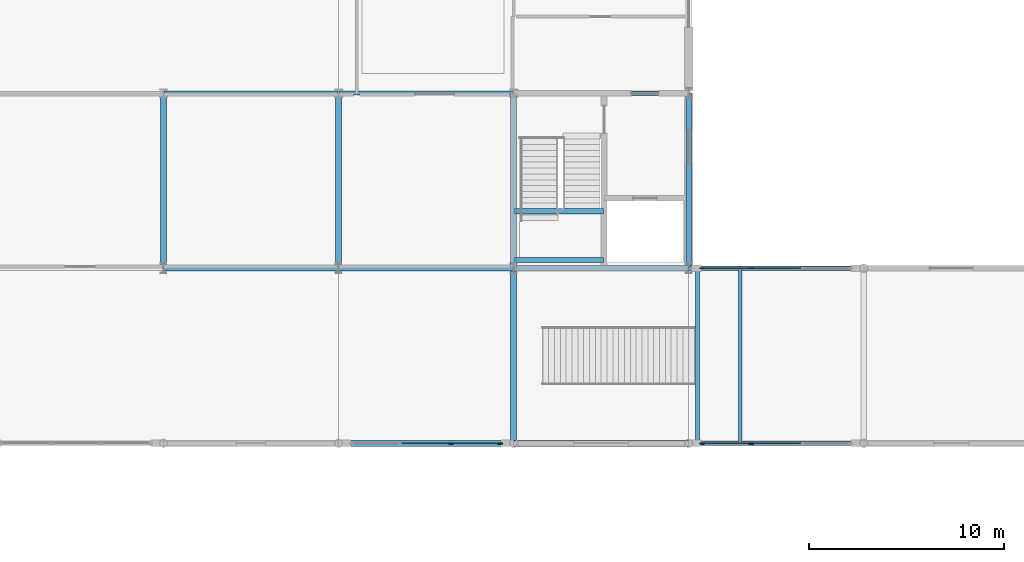
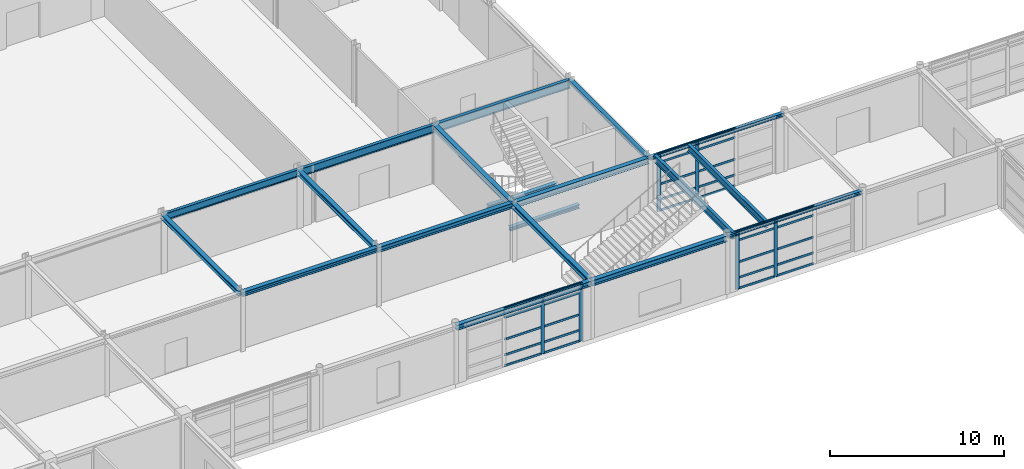
# One storey, part 31 of 72: 36 members, 19 beams, 3 elements without a shape of their own.
"""IFC4 building model written with IfcOpenShell, lengths in metres."""

from ifc_helpers import new_model, si_unit, direction, frame, origin, origin_2d, place, context, subcontext, project, spatial, rectangle, i_section, extrude, material, material_profile, profile_set, type_object, element, aggregate, save


model = new_model("IFC4")

# Units and contexts
model_context = context("Model", 3, precision=1e-05, world=origin(), true_north=direction((0.0, 1.0)))
body_context = subcontext(model_context, "Body", "Model", "MODEL_VIEW")
ifc_project = project(units=[si_unit("LENGTHUNIT", "METRE"), si_unit("AREAUNIT", "SQUARE_METRE"), si_unit("VOLUMEUNIT", "CUBIC_METRE"), si_unit("PLANEANGLEUNIT", "RADIAN"), si_unit("MASSUNIT", "GRAM", prefix="KILO")], contexts=[model_context])

# Site, building, storey
site_placement = place(None, origin())
site = spatial("IfcSite", under=ifc_project, at=site_placement, CompositionType="ELEMENT")
building_placement = place(site_placement, origin())
building = spatial("IfcBuilding", under=site, at=building_placement, Name="Palais des Congres Ocreval", CompositionType="ELEMENT")
storey_placement = place(building_placement, origin())
storey = spatial("IfcBuildingStorey", under=building, at=storey_placement, Name="L00", CompositionType="ELEMENT", Elevation=0.0)

# Beams
ifc_material_1 = material(Name="Steel S355", Category="steel")
ifc_material_profile_1 = material_profile(ifc_material_1, i_section(OverallWidth=0.199951171875, OverallDepth=0.5, WebThickness=0.01025390625, FlangeThickness=0.01611328125, at=origin_2d()), Name="IPE 500")
ifc_profile_set_1 = profile_set([ifc_material_profile_1], Name="Steel S355")
beam_type_1 = type_object("IfcBeamType", Name="Composite Beam IPE 500 Steel S355", PredefinedType="BEAM", material=ifc_profile_set_1)
for number, where, z_axis, x_axis, name in (
    (1, (27.02001953125, 90.0, 3.804931640625), (1.0, 0.0, 0.0), (0.0, 1.0, 0.0), "Beam B04 L00"),
    (2, (54.449951171875, 72.02001953125, 3.804931640625), (0.0, 1.0, 0.0), (-1.0, 0.0, 0.0), "Feature Stair Landing Girder ST11-1"),
    (3, (56.64990234375, 72.02001953125, 3.804931640625), (0.0, 1.0, 0.0), (-1.0, 0.0, 0.0), "Feature Stair Landing Girder ST11-2"),
):
    element("IfcBeam", number, at=place(storey_placement, frame(where, z_axis=z_axis, x_axis=x_axis)), inside=storey, type_object=beam_type_1, Name=name, PredefinedType="BEAM", context=body_context, shape_type="SweptSolid", body=[
        extrude(i_section(OverallWidth=0.199951171875, OverallDepth=0.5, WebThickness=0.01025390625, FlangeThickness=0.01611328125, at=origin_2d()), origin(), (0.0, 0.0, 1.0), 8.9599609375),
    ])
ifc_material_profile_2 = material_profile(ifc_material_1, i_section(OverallWidth=0.2099609375, OverallDepth=0.550048828125, WebThickness=0.010986328125, FlangeThickness=0.01708984375, at=origin_2d()), Name="IPE 550")
ifc_profile_set_2 = profile_set([ifc_material_profile_2], Name="Steel S355")
beam_type_2 = type_object("IfcBeamType", Name="Composite Beam IPE 550 Steel S355", PredefinedType="BEAM", material=ifc_profile_set_2)
beam_1_placement = place(storey_placement, frame((36.02001953125, 90.0, 3.780029296875), z_axis=(1.0, 0.0, 0.0), x_axis=(0.0, 1.0, 0.0)))
element("IfcBeam", 4, at=beam_1_placement, inside=storey, type_object=beam_type_2, Name="Beam B05 L00", PredefinedType="BEAM", context=body_context, shape_type="SweptSolid", body=[
    extrude(i_section(OverallWidth=0.2099609375, OverallDepth=0.550048828125, WebThickness=0.010986328125, FlangeThickness=0.01708984375, at=origin_2d()), origin(), (0.0, 0.0, 1.0), 8.9599609375),
])
ifc_material_profile_3 = material_profile(ifc_material_1, i_section(OverallWidth=0.219970703125, OverallDepth=0.60009765625, WebThickness=0.011962890625, FlangeThickness=0.01904296875, at=origin_2d()), Name="IPE 600")
ifc_profile_set_3 = profile_set([ifc_material_profile_3], Name="Steel S355")
beam_type_3 = type_object("IfcBeamType", Name="Composite Beam IPE 600 Steel S355", PredefinedType="BEAM", material=ifc_profile_set_3)
beam_2_placement = place(storey_placement, frame((45.02001953125, 90.0, 3.7548828125), z_axis=(1.0, 0.0, 0.0), x_axis=(0.0, 1.0, 0.0)))
element("IfcBeam", 5, at=beam_2_placement, inside=storey, type_object=beam_type_3, Name="Beam B06 L00", PredefinedType="BEAM", context=body_context, shape_type="SweptSolid", body=[
    extrude(i_section(OverallWidth=0.219970703125, OverallDepth=0.60009765625, WebThickness=0.011962890625, FlangeThickness=0.01904296875, at=origin_2d()), origin(), (0.0, 0.0, 1.0), 8.9599609375),
])

# Curtain wall, members
ifc_material_2 = material(Name="Anodized bronze aluminium and low-E glass", Category="glass")
curtain_wall_type = type_object("IfcCurtainWallType", Name="Unitised Curtain Wall 7900x4060", PredefinedType="USERDEFINED", material=ifc_material_2)
curtain_wall_1_placement = place(storey_placement, origin())
curtain_wall_1 = element("IfcCurtainWall", 6, at=curtain_wall_1_placement, inside=storey, type_object=curtain_wall_type, Name="Unitised Curtain Wall CW01 L00", ObjectType="UNITISED CURTAIN WALL", PredefinedType="USERDEFINED")
ifc_material_3 = material(Name="Anodized bronze aluminium", Category="aluminium")
ifc_material_profile_4 = material_profile(ifc_material_3, rectangle(XDim=0.074951171875, YDim=0.239990234375, at=origin_2d()), Name="ALU 75x240")
ifc_profile_set_4 = profile_set([ifc_material_profile_4], Name="Anodized bronze aluminium")
member_type_1 = type_object("IfcMemberType", Name="Curtain Wall Mullion ALU 75x240", PredefinedType="MULLION", material=ifc_profile_set_4)
member_1_placement = place(storey_placement, frame((54.6875, 81.0, 0.0), z_axis=(0.0, 0.0, 1.0), x_axis=(0.0, 1.0, 0.0)))
member_1 = element("IfcMember", 7, at=member_1_placement, type_object=member_type_1, Name="Curtain Wall Mullion ML01", PredefinedType="MULLION", context=body_context, shape_type="SweptSolid", body=[
    extrude(rectangle(XDim=0.074951171875, YDim=0.239990234375, at=origin_2d()), origin(), (0.0, 0.0, 1.0), 4.054931640625),
])
member_2_placement = place(storey_placement, frame((57.216796875, 81.0, 0.0), z_axis=(0.0, 0.0, 1.0), x_axis=(0.0, 1.0, 0.0)))
member_2 = element("IfcMember", 8, at=member_2_placement, type_object=member_type_1, Name="Curtain Wall Mullion ML01", PredefinedType="MULLION", context=body_context, shape_type="SweptSolid", body=[
    extrude(rectangle(XDim=0.074951171875, YDim=0.239990234375, at=origin_2d()), origin(), (0.0, 0.0, 1.0), 4.054931640625),
])

curtain_wall_2_placement = place(storey_placement, origin())
curtain_wall_2 = element("IfcCurtainWall", 9, at=curtain_wall_2_placement, inside=storey, type_object=curtain_wall_type, Name="Unitised Curtain Wall CW01 L00", ObjectType="UNITISED CURTAIN WALL", PredefinedType="USERDEFINED")
member_3_placement = place(storey_placement, frame((57.216796875, 72.0, 0.0), z_axis=(0.0, 0.0, 1.0), x_axis=(0.0, -1.0, 0.0)))
member_3 = element("IfcMember", 10, at=member_3_placement, type_object=member_type_1, Name="Curtain Wall Mullion ML01", PredefinedType="MULLION", context=body_context, shape_type="SweptSolid", body=[
    extrude(rectangle(XDim=0.074951171875, YDim=0.239990234375, at=origin_2d()), origin(), (0.0, 0.0, 1.0), 4.054931640625),
])
member_4_placement = place(storey_placement, frame((54.6875, 72.0, 0.0), z_axis=(0.0, 0.0, 1.0), x_axis=(0.0, -1.0, 0.0)))
member_4 = element("IfcMember", 11, at=member_4_placement, type_object=member_type_1, Name="Curtain Wall Mullion ML01", PredefinedType="MULLION", context=body_context, shape_type="SweptSolid", body=[
    extrude(rectangle(XDim=0.074951171875, YDim=0.239990234375, at=origin_2d()), origin(), (0.0, 0.0, 1.0), 4.054931640625),
])

curtain_wall_3_placement = place(storey_placement, origin())
curtain_wall_3 = element("IfcCurtainWall", 12, at=curtain_wall_3_placement, inside=storey, type_object=curtain_wall_type, Name="Unitised Curtain Wall CW01 L00", ObjectType="UNITISED CURTAIN WALL", PredefinedType="USERDEFINED")
member_5_placement = place(storey_placement, frame((44.3125, 72.0, 0.0), z_axis=(0.0, 0.0, 1.0), x_axis=(0.0, -1.0, 0.0)))
member_5 = element("IfcMember", 13, at=member_5_placement, type_object=member_type_1, Name="Curtain Wall Mullion ML01", PredefinedType="MULLION", context=body_context, shape_type="SweptSolid", body=[
    extrude(rectangle(XDim=0.074951171875, YDim=0.239990234375, at=origin_2d()), origin(), (0.0, 0.0, 1.0), 4.054931640625),
])
member_6_placement = place(storey_placement, frame((41.783203125, 72.0, 0.0), z_axis=(0.0, 0.0, 1.0), x_axis=(0.0, -1.0, 0.0)))
member_6 = element("IfcMember", 14, at=member_6_placement, type_object=member_type_1, Name="Curtain Wall Mullion ML01", PredefinedType="MULLION", context=body_context, shape_type="SweptSolid", body=[
    extrude(rectangle(XDim=0.074951171875, YDim=0.239990234375, at=origin_2d()), origin(), (0.0, 0.0, 1.0), 4.054931640625),
])

# Member
ifc_material_profile_5 = material_profile(ifc_material_3, rectangle(XDim=0.06005859375, YDim=0.14990234375, at=origin_2d()), Name="ALU 60x150")
ifc_profile_set_5 = profile_set([ifc_material_profile_5], Name="Anodized bronze aluminium")
member_type_2 = type_object("IfcMemberType", Name="Curtain Wall Transom ALU 60x150", PredefinedType="USERDEFINED", material=ifc_profile_set_5)
member_7_placement = place(storey_placement, frame((54.72509765625, 81.0, 0.030029296875), z_axis=(1.0, 0.0, 0.0), x_axis=(0.0, 1.0, 0.0)))
member_7 = element("IfcMember", 15, at=member_7_placement, type_object=member_type_2, Name="Curtain Wall Transom TR01", ObjectType="TRANSOM", PredefinedType="USERDEFINED", context=body_context, shape_type="SweptSolid", body=[
    extrude(rectangle(XDim=0.06005859375, YDim=0.14990234375, at=origin_2d()), origin(), (0.0, 0.0, 1.0), 2.4541015625),
])

member_8_placement = place(storey_placement, frame((54.72509765625, 81.0, 0.780029296875), z_axis=(1.0, 0.0, 0.0), x_axis=(0.0, 1.0, 0.0)))
member_8 = element("IfcMember", 16, at=member_8_placement, type_object=member_type_2, Name="Curtain Wall Transom TR01", ObjectType="TRANSOM", PredefinedType="USERDEFINED", context=body_context, shape_type="SweptSolid", body=[
    extrude(rectangle(XDim=0.06005859375, YDim=0.14990234375, at=origin_2d()), origin(), (0.0, 0.0, 1.0), 2.4541015625),
])

member_9_placement = place(storey_placement, frame((54.72509765625, 81.0, 1.872802734375), z_axis=(1.0, 0.0, 0.0), x_axis=(0.0, 1.0, 0.0)))
member_9 = element("IfcMember", 17, at=member_9_placement, type_object=member_type_2, Name="Curtain Wall Transom TR01", ObjectType="TRANSOM", PredefinedType="USERDEFINED", context=body_context, shape_type="SweptSolid", body=[
    extrude(rectangle(XDim=0.06005859375, YDim=0.14990234375, at=origin_2d()), origin(), (0.0, 0.0, 1.0), 2.4541015625),
])

member_10_placement = place(storey_placement, frame((54.72509765625, 81.0, 3.405029296875), z_axis=(1.0, 0.0, 0.0), x_axis=(0.0, 1.0, 0.0)))
member_10 = element("IfcMember", 18, at=member_10_placement, type_object=member_type_2, Name="Curtain Wall Transom TR01", ObjectType="TRANSOM", PredefinedType="USERDEFINED", context=body_context, shape_type="SweptSolid", body=[
    extrude(rectangle(XDim=0.06005859375, YDim=0.14990234375, at=origin_2d()), origin(), (0.0, 0.0, 1.0), 2.4541015625),
])

member_11_placement = place(storey_placement, frame((54.72509765625, 81.0, 4.02490234375), z_axis=(1.0, 0.0, 0.0), x_axis=(0.0, 1.0, 0.0)))
member_11 = element("IfcMember", 19, at=member_11_placement, type_object=member_type_2, Name="Curtain Wall Transom TR01", ObjectType="TRANSOM", PredefinedType="USERDEFINED", context=body_context, shape_type="SweptSolid", body=[
    extrude(rectangle(XDim=0.06005859375, YDim=0.14990234375, at=origin_2d()), origin(), (0.0, 0.0, 1.0), 2.4541015625),
])

member_12_placement = place(storey_placement, frame((57.254150390625, 81.0, 0.030029296875), z_axis=(1.0, 0.0, 0.0), x_axis=(0.0, 1.0, 0.0)))
member_12 = element("IfcMember", 20, at=member_12_placement, type_object=member_type_2, Name="Curtain Wall Transom TR01", ObjectType="TRANSOM", PredefinedType="USERDEFINED", context=body_context, shape_type="SweptSolid", body=[
    extrude(rectangle(XDim=0.06005859375, YDim=0.14990234375, at=origin_2d()), origin(), (0.0, 0.0, 1.0), 2.49169921875),
])

member_13_placement = place(storey_placement, frame((57.254150390625, 81.0, 0.780029296875), z_axis=(1.0, 0.0, 0.0), x_axis=(0.0, 1.0, 0.0)))
member_13 = element("IfcMember", 21, at=member_13_placement, type_object=member_type_2, Name="Curtain Wall Transom TR01", ObjectType="TRANSOM", PredefinedType="USERDEFINED", context=body_context, shape_type="SweptSolid", body=[
    extrude(rectangle(XDim=0.06005859375, YDim=0.14990234375, at=origin_2d()), origin(), (0.0, 0.0, 1.0), 2.49169921875),
])

member_14_placement = place(storey_placement, frame((57.254150390625, 81.0, 1.872802734375), z_axis=(1.0, 0.0, 0.0), x_axis=(0.0, 1.0, 0.0)))
member_14 = element("IfcMember", 22, at=member_14_placement, type_object=member_type_2, Name="Curtain Wall Transom TR01", ObjectType="TRANSOM", PredefinedType="USERDEFINED", context=body_context, shape_type="SweptSolid", body=[
    extrude(rectangle(XDim=0.06005859375, YDim=0.14990234375, at=origin_2d()), origin(), (0.0, 0.0, 1.0), 2.49169921875),
])

member_15_placement = place(storey_placement, frame((57.254150390625, 81.0, 3.405029296875), z_axis=(1.0, 0.0, 0.0), x_axis=(0.0, 1.0, 0.0)))
member_15 = element("IfcMember", 23, at=member_15_placement, type_object=member_type_2, Name="Curtain Wall Transom TR01", ObjectType="TRANSOM", PredefinedType="USERDEFINED", context=body_context, shape_type="SweptSolid", body=[
    extrude(rectangle(XDim=0.06005859375, YDim=0.14990234375, at=origin_2d()), origin(), (0.0, 0.0, 1.0), 2.49169921875),
])

member_16_placement = place(storey_placement, frame((57.254150390625, 81.0, 4.02490234375), z_axis=(1.0, 0.0, 0.0), x_axis=(0.0, 1.0, 0.0)))
member_16 = element("IfcMember", 24, at=member_16_placement, type_object=member_type_2, Name="Curtain Wall Transom TR01", ObjectType="TRANSOM", PredefinedType="USERDEFINED", context=body_context, shape_type="SweptSolid", body=[
    extrude(rectangle(XDim=0.06005859375, YDim=0.14990234375, at=origin_2d()), origin(), (0.0, 0.0, 1.0), 2.49169921875),
])

aggregate(curtain_wall_1, [member_1, member_2, member_7, member_8, member_9, member_10, member_11, member_12, member_13, member_14, member_15, member_16])

member_17_placement = place(storey_placement, frame((59.745849609375, 72.0, 0.030029296875), z_axis=(-1.0, 0.0, 0.0), x_axis=(0.0, -1.0, 0.0)))
member_17 = element("IfcMember", 25, at=member_17_placement, type_object=member_type_2, Name="Curtain Wall Transom TR01", ObjectType="TRANSOM", PredefinedType="USERDEFINED", context=body_context, shape_type="SweptSolid", body=[
    extrude(rectangle(XDim=0.06005859375, YDim=0.14990234375, at=origin_2d()), origin(), (0.0, 0.0, 1.0), 2.49169921875),
])

member_18_placement = place(storey_placement, frame((59.745849609375, 72.0, 0.780029296875), z_axis=(-1.0, 0.0, 0.0), x_axis=(0.0, -1.0, 0.0)))
member_18 = element("IfcMember", 26, at=member_18_placement, type_object=member_type_2, Name="Curtain Wall Transom TR01", ObjectType="TRANSOM", PredefinedType="USERDEFINED", context=body_context, shape_type="SweptSolid", body=[
    extrude(rectangle(XDim=0.06005859375, YDim=0.14990234375, at=origin_2d()), origin(), (0.0, 0.0, 1.0), 2.49169921875),
])

member_19_placement = place(storey_placement, frame((59.745849609375, 72.0, 1.872802734375), z_axis=(-1.0, 0.0, 0.0), x_axis=(0.0, -1.0, 0.0)))
member_19 = element("IfcMember", 27, at=member_19_placement, type_object=member_type_2, Name="Curtain Wall Transom TR01", ObjectType="TRANSOM", PredefinedType="USERDEFINED", context=body_context, shape_type="SweptSolid", body=[
    extrude(rectangle(XDim=0.06005859375, YDim=0.14990234375, at=origin_2d()), origin(), (0.0, 0.0, 1.0), 2.49169921875),
])

member_20_placement = place(storey_placement, frame((59.745849609375, 72.0, 3.405029296875), z_axis=(-1.0, 0.0, 0.0), x_axis=(0.0, -1.0, 0.0)))
member_20 = element("IfcMember", 28, at=member_20_placement, type_object=member_type_2, Name="Curtain Wall Transom TR01", ObjectType="TRANSOM", PredefinedType="USERDEFINED", context=body_context, shape_type="SweptSolid", body=[
    extrude(rectangle(XDim=0.06005859375, YDim=0.14990234375, at=origin_2d()), origin(), (0.0, 0.0, 1.0), 2.49169921875),
])

member_21_placement = place(storey_placement, frame((59.745849609375, 72.0, 4.02490234375), z_axis=(-1.0, 0.0, 0.0), x_axis=(0.0, -1.0, 0.0)))
member_21 = element("IfcMember", 29, at=member_21_placement, type_object=member_type_2, Name="Curtain Wall Transom TR01", ObjectType="TRANSOM", PredefinedType="USERDEFINED", context=body_context, shape_type="SweptSolid", body=[
    extrude(rectangle(XDim=0.06005859375, YDim=0.14990234375, at=origin_2d()), origin(), (0.0, 0.0, 1.0), 2.49169921875),
])

member_22_placement = place(storey_placement, frame((57.17919921875, 72.0, 0.030029296875), z_axis=(-1.0, 0.0, 0.0), x_axis=(0.0, -1.0, 0.0)))
member_22 = element("IfcMember", 30, at=member_22_placement, type_object=member_type_2, Name="Curtain Wall Transom TR01", ObjectType="TRANSOM", PredefinedType="USERDEFINED", context=body_context, shape_type="SweptSolid", body=[
    extrude(rectangle(XDim=0.06005859375, YDim=0.14990234375, at=origin_2d()), origin(), (0.0, 0.0, 1.0), 2.4541015625),
])

member_23_placement = place(storey_placement, frame((57.17919921875, 72.0, 0.780029296875), z_axis=(-1.0, 0.0, 0.0), x_axis=(0.0, -1.0, 0.0)))
member_23 = element("IfcMember", 31, at=member_23_placement, type_object=member_type_2, Name="Curtain Wall Transom TR01", ObjectType="TRANSOM", PredefinedType="USERDEFINED", context=body_context, shape_type="SweptSolid", body=[
    extrude(rectangle(XDim=0.06005859375, YDim=0.14990234375, at=origin_2d()), origin(), (0.0, 0.0, 1.0), 2.4541015625),
])

member_24_placement = place(storey_placement, frame((57.17919921875, 72.0, 1.872802734375), z_axis=(-1.0, 0.0, 0.0), x_axis=(0.0, -1.0, 0.0)))
member_24 = element("IfcMember", 32, at=member_24_placement, type_object=member_type_2, Name="Curtain Wall Transom TR01", ObjectType="TRANSOM", PredefinedType="USERDEFINED", context=body_context, shape_type="SweptSolid", body=[
    extrude(rectangle(XDim=0.06005859375, YDim=0.14990234375, at=origin_2d()), origin(), (0.0, 0.0, 1.0), 2.4541015625),
])

member_25_placement = place(storey_placement, frame((57.17919921875, 72.0, 3.405029296875), z_axis=(-1.0, 0.0, 0.0), x_axis=(0.0, -1.0, 0.0)))
member_25 = element("IfcMember", 33, at=member_25_placement, type_object=member_type_2, Name="Curtain Wall Transom TR01", ObjectType="TRANSOM", PredefinedType="USERDEFINED", context=body_context, shape_type="SweptSolid", body=[
    extrude(rectangle(XDim=0.06005859375, YDim=0.14990234375, at=origin_2d()), origin(), (0.0, 0.0, 1.0), 2.4541015625),
])

member_26_placement = place(storey_placement, frame((57.17919921875, 72.0, 4.02490234375), z_axis=(-1.0, 0.0, 0.0), x_axis=(0.0, -1.0, 0.0)))
member_26 = element("IfcMember", 34, at=member_26_placement, type_object=member_type_2, Name="Curtain Wall Transom TR01", ObjectType="TRANSOM", PredefinedType="USERDEFINED", context=body_context, shape_type="SweptSolid", body=[
    extrude(rectangle(XDim=0.06005859375, YDim=0.14990234375, at=origin_2d()), origin(), (0.0, 0.0, 1.0), 2.4541015625),
])

aggregate(curtain_wall_2, [member_3, member_4, member_17, member_18, member_19, member_20, member_21, member_22, member_23, member_24, member_25, member_26])

member_27_placement = place(storey_placement, frame((44.27490234375, 72.0, 0.030029296875), z_axis=(-1.0, 0.0, 0.0), x_axis=(0.0, -1.0, 0.0)))
member_27 = element("IfcMember", 35, at=member_27_placement, type_object=member_type_2, Name="Curtain Wall Transom TR01", ObjectType="TRANSOM", PredefinedType="USERDEFINED", context=body_context, shape_type="SweptSolid", body=[
    extrude(rectangle(XDim=0.06005859375, YDim=0.14990234375, at=origin_2d()), origin(), (0.0, 0.0, 1.0), 2.4541015625),
])

member_28_placement = place(storey_placement, frame((44.27490234375, 72.0, 0.780029296875), z_axis=(-1.0, 0.0, 0.0), x_axis=(0.0, -1.0, 0.0)))
member_28 = element("IfcMember", 36, at=member_28_placement, type_object=member_type_2, Name="Curtain Wall Transom TR01", ObjectType="TRANSOM", PredefinedType="USERDEFINED", context=body_context, shape_type="SweptSolid", body=[
    extrude(rectangle(XDim=0.06005859375, YDim=0.14990234375, at=origin_2d()), origin(), (0.0, 0.0, 1.0), 2.4541015625),
])

member_29_placement = place(storey_placement, frame((44.27490234375, 72.0, 1.872802734375), z_axis=(-1.0, 0.0, 0.0), x_axis=(0.0, -1.0, 0.0)))
member_29 = element("IfcMember", 37, at=member_29_placement, type_object=member_type_2, Name="Curtain Wall Transom TR01", ObjectType="TRANSOM", PredefinedType="USERDEFINED", context=body_context, shape_type="SweptSolid", body=[
    extrude(rectangle(XDim=0.06005859375, YDim=0.14990234375, at=origin_2d()), origin(), (0.0, 0.0, 1.0), 2.4541015625),
])

member_30_placement = place(storey_placement, frame((44.27490234375, 72.0, 3.405029296875), z_axis=(-1.0, 0.0, 0.0), x_axis=(0.0, -1.0, 0.0)))
member_30 = element("IfcMember", 38, at=member_30_placement, type_object=member_type_2, Name="Curtain Wall Transom TR01", ObjectType="TRANSOM", PredefinedType="USERDEFINED", context=body_context, shape_type="SweptSolid", body=[
    extrude(rectangle(XDim=0.06005859375, YDim=0.14990234375, at=origin_2d()), origin(), (0.0, 0.0, 1.0), 2.4541015625),
])

member_31_placement = place(storey_placement, frame((44.27490234375, 72.0, 4.02490234375), z_axis=(-1.0, 0.0, 0.0), x_axis=(0.0, -1.0, 0.0)))
member_31 = element("IfcMember", 39, at=member_31_placement, type_object=member_type_2, Name="Curtain Wall Transom TR01", ObjectType="TRANSOM", PredefinedType="USERDEFINED", context=body_context, shape_type="SweptSolid", body=[
    extrude(rectangle(XDim=0.06005859375, YDim=0.14990234375, at=origin_2d()), origin(), (0.0, 0.0, 1.0), 2.4541015625),
])

member_32_placement = place(storey_placement, frame((41.745849609375, 72.0, 0.030029296875), z_axis=(-1.0, 0.0, 0.0), x_axis=(0.0, -1.0, 0.0)))
member_32 = element("IfcMember", 40, at=member_32_placement, type_object=member_type_2, Name="Curtain Wall Transom TR01", ObjectType="TRANSOM", PredefinedType="USERDEFINED", context=body_context, shape_type="SweptSolid", body=[
    extrude(rectangle(XDim=0.06005859375, YDim=0.14990234375, at=origin_2d()), origin(), (0.0, 0.0, 1.0), 2.49169921875),
])

member_33_placement = place(storey_placement, frame((41.745849609375, 72.0, 0.780029296875), z_axis=(-1.0, 0.0, 0.0), x_axis=(0.0, -1.0, 0.0)))
member_33 = element("IfcMember", 41, at=member_33_placement, type_object=member_type_2, Name="Curtain Wall Transom TR01", ObjectType="TRANSOM", PredefinedType="USERDEFINED", context=body_context, shape_type="SweptSolid", body=[
    extrude(rectangle(XDim=0.06005859375, YDim=0.14990234375, at=origin_2d()), origin(), (0.0, 0.0, 1.0), 2.49169921875),
])

member_34_placement = place(storey_placement, frame((41.745849609375, 72.0, 1.872802734375), z_axis=(-1.0, 0.0, 0.0), x_axis=(0.0, -1.0, 0.0)))
member_34 = element("IfcMember", 42, at=member_34_placement, type_object=member_type_2, Name="Curtain Wall Transom TR01", ObjectType="TRANSOM", PredefinedType="USERDEFINED", context=body_context, shape_type="SweptSolid", body=[
    extrude(rectangle(XDim=0.06005859375, YDim=0.14990234375, at=origin_2d()), origin(), (0.0, 0.0, 1.0), 2.49169921875),
])

member_35_placement = place(storey_placement, frame((41.745849609375, 72.0, 3.405029296875), z_axis=(-1.0, 0.0, 0.0), x_axis=(0.0, -1.0, 0.0)))
member_35 = element("IfcMember", 43, at=member_35_placement, type_object=member_type_2, Name="Curtain Wall Transom TR01", ObjectType="TRANSOM", PredefinedType="USERDEFINED", context=body_context, shape_type="SweptSolid", body=[
    extrude(rectangle(XDim=0.06005859375, YDim=0.14990234375, at=origin_2d()), origin(), (0.0, 0.0, 1.0), 2.49169921875),
])

member_36_placement = place(storey_placement, frame((41.745849609375, 72.0, 4.02490234375), z_axis=(-1.0, 0.0, 0.0), x_axis=(0.0, -1.0, 0.0)))
member_36 = element("IfcMember", 44, at=member_36_placement, type_object=member_type_2, Name="Curtain Wall Transom TR01", ObjectType="TRANSOM", PredefinedType="USERDEFINED", context=body_context, shape_type="SweptSolid", body=[
    extrude(rectangle(XDim=0.06005859375, YDim=0.14990234375, at=origin_2d()), origin(), (0.0, 0.0, 1.0), 2.49169921875),
])

aggregate(curtain_wall_3, [member_5, member_6, member_27, member_28, member_29, member_30, member_31, member_32, member_33, member_34, member_35, member_36])

# Beams
ifc_material_profile_6 = material_profile(ifc_material_1, i_section(OverallWidth=0.260009765625, OverallDepth=0.260009765625, WebThickness=0.010009765625, FlangeThickness=0.017578125, at=origin_2d()), Name="HEB 260")
ifc_profile_set_6 = profile_set([ifc_material_profile_6], Name="Steel S355")
beam_type_4 = type_object("IfcBeamType", Name="Opening Lintel HEB 260 Steel S355", PredefinedType="LINTEL", material=ifc_profile_set_6)
beam_3_placement = place(storey_placement, frame((54.0, 81.02001953125, 3.925048828125), z_axis=(0.0, 1.0, 0.0), x_axis=(-1.0, 0.0, 0.0)))
element("IfcBeam", 45, at=beam_3_placement, inside=storey, type_object=beam_type_4, Name="Girder LN01 L00", PredefinedType="LINTEL", context=body_context, shape_type="SweptSolid", body=[
    extrude(i_section(OverallWidth=0.260009765625, OverallDepth=0.260009765625, WebThickness=0.010009765625, FlangeThickness=0.017578125, at=origin_2d()), origin(), (0.0, 0.0, 1.0), 8.9599609375),
])
for number, where, z_axis, x_axis, name in (
    (46, (45.02001953125, 81.419921875, 1.909912109375), (1.0, 0.0, 0.0), (0.0, 1.0, 0.0), "Stair Landing Support Beam ST06 L00-1"),
    (47, (45.02001953125, 83.929931640625, 1.909912109375), (1.0, 0.0, 0.0), (0.0, 1.0, 0.0), "Stair Landing Support Beam ST06 L00-2"),
):
    element("IfcBeam", number, at=place(storey_placement, frame(where, z_axis=z_axis, x_axis=x_axis)), inside=storey, type_object=beam_type_4, Name=name, PredefinedType="LINTEL", context=body_context, shape_type="SweptSolid", body=[
        extrude(i_section(OverallWidth=0.260009765625, OverallDepth=0.260009765625, WebThickness=0.010009765625, FlangeThickness=0.017578125, at=origin_2d()), origin(), (0.0, 0.0, 1.0), 4.60986328125),
    ])
ifc_material_profile_7 = material_profile(ifc_material_1, i_section(OverallWidth=0.239990234375, OverallDepth=0.22998046875, WebThickness=0.007568359375, FlangeThickness=0.011962890625, at=origin_2d()), Name="HEA 240")
ifc_profile_set_7 = profile_set([ifc_material_profile_7], Name="Steel S355")
beam_type_5 = type_object("IfcBeamType", Name="Perimeter Spandrel HEA 240 Steel S355", PredefinedType="SPANDREL", material=ifc_profile_set_7)
for number, where, z_axis, x_axis, name in (
    (48, (54.02001953125, 72.0, 3.93994140625), (1.0, 0.0, 0.0), (0.0, 1.0, 0.0), "Beam SP01 L00"),
    (49, (54.02001953125, 81.0, 3.93994140625), (1.0, 0.0, 0.0), (0.0, 1.0, 0.0), "Beam SP01 L00"),
):
    element("IfcBeam", number, at=place(storey_placement, frame(where, z_axis=z_axis, x_axis=x_axis)), inside=storey, type_object=beam_type_5, Name=name, PredefinedType="SPANDREL", context=body_context, shape_type="SweptSolid", body=[
        extrude(i_section(OverallWidth=0.239990234375, OverallDepth=0.22998046875, WebThickness=0.007568359375, FlangeThickness=0.011962890625, at=origin_2d()), origin(), (0.0, 0.0, 1.0), 8.9599609375),
    ])
ifc_material_profile_8 = material_profile(ifc_material_1, i_section(OverallWidth=0.300048828125, OverallDepth=0.300048828125, WebThickness=0.010986328125, FlangeThickness=0.01904296875, at=origin_2d()), Name="HEB 300")
ifc_profile_set_8 = profile_set([ifc_material_profile_8], Name="Steel S355")
beam_type_6 = type_object("IfcBeamType", Name="Perimeter Spandrel HEB 300 Steel S355", PredefinedType="SPANDREL", material=ifc_profile_set_8)
beam_4_placement = place(storey_placement, frame((27.02001953125, 81.0, 3.905029296875), z_axis=(1.0, 0.0, 0.0), x_axis=(0.0, 1.0, 0.0)))
element("IfcBeam", 50, at=beam_4_placement, inside=storey, type_object=beam_type_6, Name="Beam SP02 L00", PredefinedType="SPANDREL", context=body_context, shape_type="SweptSolid", body=[
    extrude(i_section(OverallWidth=0.300048828125, OverallDepth=0.300048828125, WebThickness=0.010986328125, FlangeThickness=0.01904296875, at=origin_2d()), origin(), (0.0, 0.0, 1.0), 8.9599609375),
])
ifc_material_profile_9 = material_profile(ifc_material_1, i_section(OverallWidth=0.300048828125, OverallDepth=0.360107421875, WebThickness=0.012451171875, FlangeThickness=0.0224609375, at=origin_2d()), Name="HEB 360")
ifc_profile_set_9 = profile_set([ifc_material_profile_9], Name="Steel S355")
beam_type_7 = type_object("IfcBeamType", Name="Perimeter Spandrel HEB 360 Steel S355", PredefinedType="SPANDREL", material=ifc_profile_set_9)
for number, where, z_axis, x_axis, name in (
    (51, (36.02001953125, 72.0, 3.875), (1.0, 0.0, 0.0), (0.0, 1.0, 0.0), "Beam SP03 L00"),
    (52, (36.02001953125, 81.0, 3.875), (1.0, 0.0, 0.0), (0.0, 1.0, 0.0), "Beam SP03 L00"),
):
    element("IfcBeam", number, at=place(storey_placement, frame(where, z_axis=z_axis, x_axis=x_axis)), inside=storey, type_object=beam_type_7, Name=name, PredefinedType="SPANDREL", context=body_context, shape_type="SweptSolid", body=[
        extrude(i_section(OverallWidth=0.300048828125, OverallDepth=0.360107421875, WebThickness=0.012451171875, FlangeThickness=0.0224609375, at=origin_2d()), origin(), (0.0, 0.0, 1.0), 8.9599609375),
    ])
ifc_material_profile_10 = material_profile(ifc_material_1, i_section(OverallWidth=0.300048828125, OverallDepth=0.39990234375, WebThickness=0.013427734375, FlangeThickness=0.02392578125, at=origin_2d()), Name="HEB 400")
ifc_profile_set_10 = profile_set([ifc_material_profile_10], Name="Steel S355")
beam_type_8 = type_object("IfcBeamType", Name="Perimeter Spandrel HEB 400 Steel S355", PredefinedType="SPANDREL", material=ifc_profile_set_10)
for number, where, z_axis, x_axis, name in (
    (53, (45.02001953125, 72.0, 3.85498046875), (1.0, 0.0, 0.0), (0.0, 1.0, 0.0), "Beam SP04 L00"),
    (54, (45.02001953125, 81.0, 3.85498046875), (1.0, 0.0, 0.0), (0.0, 1.0, 0.0), "Beam SP04 L00"),
):
    element("IfcBeam", number, at=place(storey_placement, frame(where, z_axis=z_axis, x_axis=x_axis)), inside=storey, type_object=beam_type_8, Name=name, PredefinedType="SPANDREL", context=body_context, shape_type="SweptSolid", body=[
        extrude(i_section(OverallWidth=0.300048828125, OverallDepth=0.39990234375, WebThickness=0.013427734375, FlangeThickness=0.02392578125, at=origin_2d()), origin(), (0.0, 0.0, 1.0), 8.9599609375),
    ])
ifc_material_profile_11 = material_profile(ifc_material_1, i_section(OverallWidth=0.300048828125, OverallDepth=0.2900390625, WebThickness=0.008544921875, FlangeThickness=0.013916015625, at=origin_2d()), Name="HEA 300")
ifc_profile_set_11 = profile_set([ifc_material_profile_11], Name="Steel S355")
beam_type_9 = type_object("IfcBeamType", Name="Primary Beam HEA 300 Steel S355", PredefinedType="BEAM", material=ifc_profile_set_11)
beam_5_placement = place(storey_placement, frame((27.0, 81.02001953125, 3.909912109375), z_axis=(0.0, 1.0, 0.0), x_axis=(-1.0, 0.0, 0.0)))
element("IfcBeam", 55, at=beam_5_placement, inside=storey, type_object=beam_type_9, Name="Girder B08 L00", PredefinedType="BEAM", context=body_context, shape_type="SweptSolid", body=[
    extrude(i_section(OverallWidth=0.300048828125, OverallDepth=0.2900390625, WebThickness=0.008544921875, FlangeThickness=0.013916015625, at=origin_2d()), origin(), (0.0, 0.0, 1.0), 8.9599609375),
])
ifc_material_profile_12 = material_profile(ifc_material_1, i_section(OverallWidth=0.300048828125, OverallDepth=0.330078125, WebThickness=0.009521484375, FlangeThickness=0.0166015625, at=origin_2d()), Name="HEA 340")
ifc_profile_set_12 = profile_set([ifc_material_profile_12], Name="Steel S355")
beam_type_10 = type_object("IfcBeamType", Name="Primary Beam HEA 340 Steel S355", PredefinedType="BEAM", material=ifc_profile_set_12)
for number, where, z_axis, x_axis, name in (
    (56, (36.0, 81.02001953125, 3.889892578125), (0.0, 1.0, 0.0), (-1.0, 0.0, 0.0), "Girder B09 L00"),
    (57, (45.0, 72.02001953125, 3.889892578125), (0.0, 1.0, 0.0), (-1.0, 0.0, 0.0), "Girder B09 L00"),
):
    element("IfcBeam", number, at=place(storey_placement, frame(where, z_axis=z_axis, x_axis=x_axis)), inside=storey, type_object=beam_type_10, Name=name, PredefinedType="BEAM", context=body_context, shape_type="SweptSolid", body=[
        extrude(i_section(OverallWidth=0.300048828125, OverallDepth=0.330078125, WebThickness=0.009521484375, FlangeThickness=0.0166015625, at=origin_2d()), origin(), (0.0, 0.0, 1.0), 8.9599609375),
    ])
ifc_material_profile_13 = material_profile(ifc_material_1, i_section(OverallWidth=0.300048828125, OverallDepth=0.389892578125, WebThickness=0.010986328125, FlangeThickness=0.01904296875, at=origin_2d()), Name="HEA 400")
ifc_profile_set_13 = profile_set([ifc_material_profile_13], Name="Steel S355")
beam_type_11 = type_object("IfcBeamType", Name="Primary Beam HEA 400 Steel S355", PredefinedType="BEAM", material=ifc_profile_set_13)
beam_6_placement = place(storey_placement, frame((45.0, 81.02001953125, 3.860107421875), z_axis=(0.0, 1.0, 0.0), x_axis=(-1.0, 0.0, 0.0)))
element("IfcBeam", 58, at=beam_6_placement, inside=storey, type_object=beam_type_11, Name="Girder B10 L00", PredefinedType="BEAM", context=body_context, shape_type="SweptSolid", body=[
    extrude(i_section(OverallWidth=0.300048828125, OverallDepth=0.389892578125, WebThickness=0.010986328125, FlangeThickness=0.01904296875, at=origin_2d()), origin(), (0.0, 0.0, 1.0), 8.9599609375),
])

save(model, "model.ifc")
